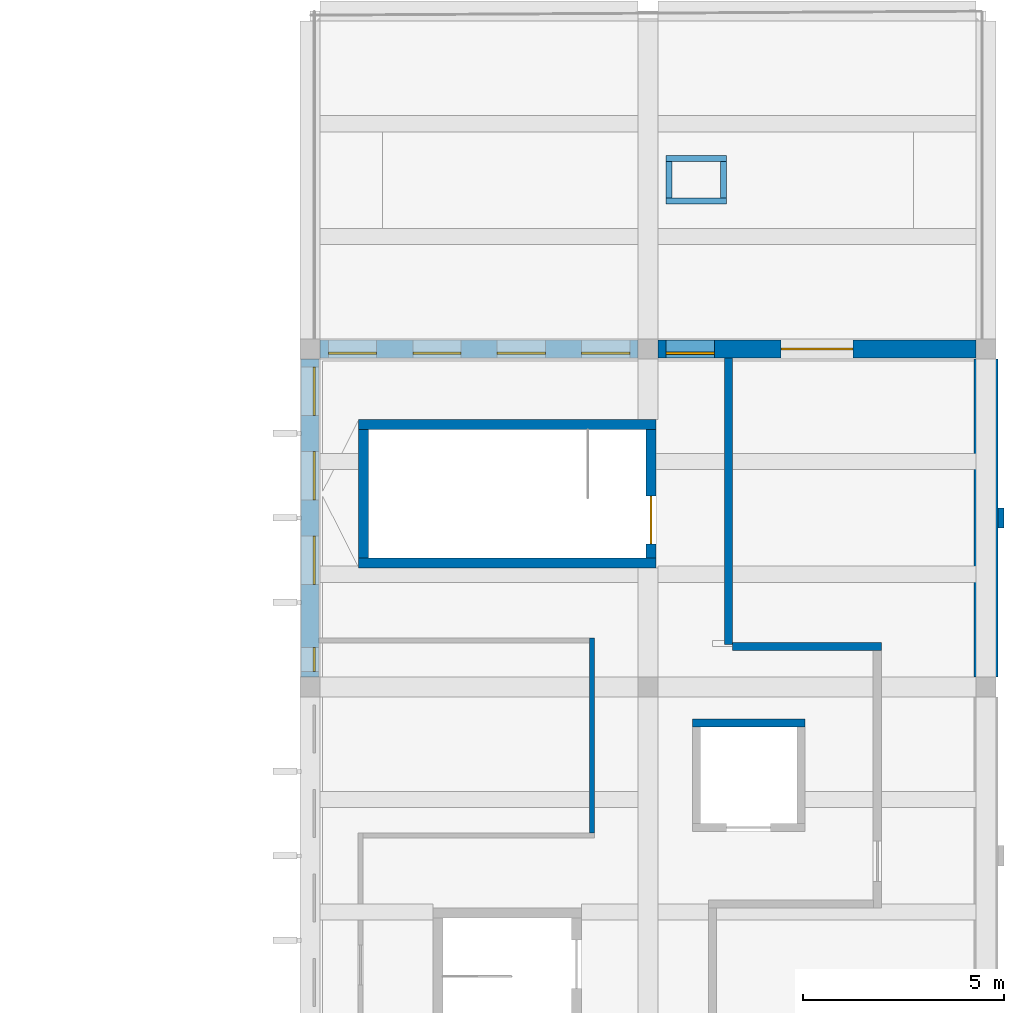
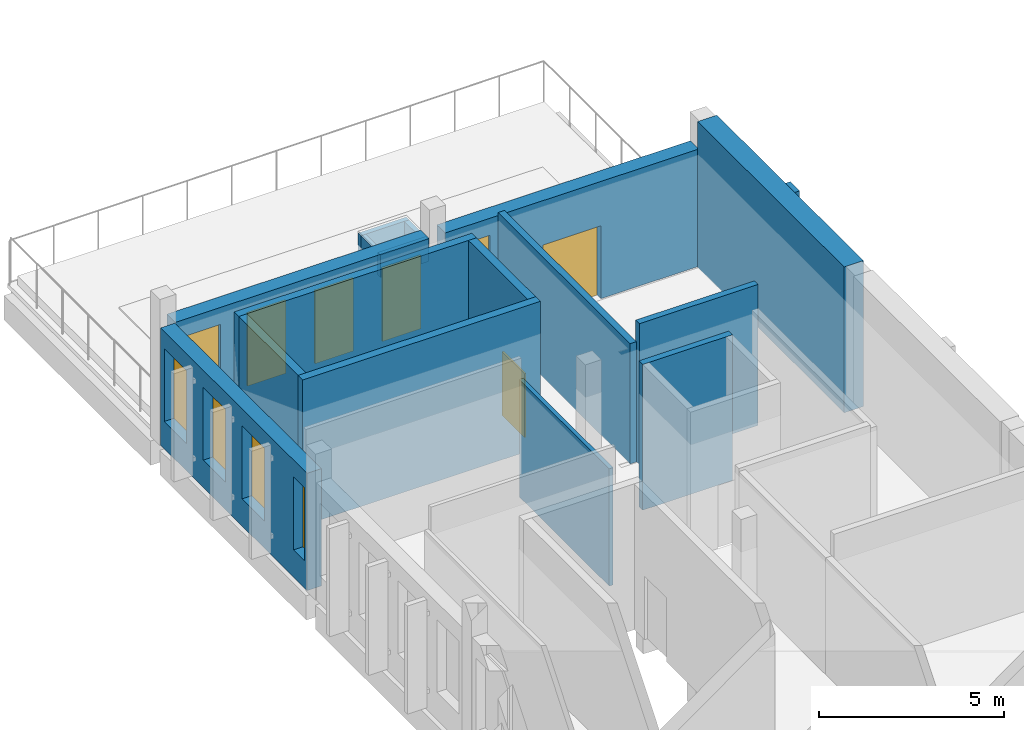
# One storey, part 28 of 47: 17 walls, 9 windows, 2 doors, 11 openings.
"""IFC4 building model written with IfcOpenShell, lengths in metres."""

from ifc_helpers import new_model, si_unit, direction, frame, frame_2d, origin, place, context, subcontext, project, spatial, rectangle, extrude, material, layer, layer_set, type_object, element, fill, save


model = new_model("IFC4")

# Units and contexts
model_context = context("Model", 3, precision=1e-05, world=origin(), true_north=direction((0.0, 1.0)))
body_context = subcontext(model_context, "Body", "Model", "MODEL_VIEW")
ifc_project = project(units=[si_unit("LENGTHUNIT", "METRE"), si_unit("AREAUNIT", "SQUARE_METRE"), si_unit("VOLUMEUNIT", "CUBIC_METRE"), si_unit("PLANEANGLEUNIT", "RADIAN"), si_unit("MASSUNIT", "GRAM", prefix="KILO")], contexts=[model_context])

# Site, building, storey
site_placement = place(None, origin())
site = spatial("IfcSite", under=ifc_project, at=site_placement, CompositionType="ELEMENT")
building_placement = place(site_placement, origin())
building = spatial("IfcBuilding", under=site, at=building_placement, Name="Larchfold Concert Hall", CompositionType="ELEMENT")
storey_placement = place(building_placement, frame((0.0, 0.0, 24.0)))
storey = spatial("IfcBuildingStorey", under=building, at=storey_placement, Name="L05", CompositionType="ELEMENT", Elevation=24.0)

# Walls
ifc_material_1 = material(Name="Plasterboard partition on steel studs", Category="steel")
ifc_layer_1 = layer(ifc_material_1, 0.199951171875)
ifc_layer_set_1 = layer_set([ifc_layer_1], Name="Plasterboard partition on steel studs")
wall_type_1 = type_object("IfcWallType", Name="Acoustic partition 200", PredefinedType="PARTITIONING", material=ifc_layer_set_1)
wall_1_placement = place(storey_placement, frame((95.0, 42.375, 0.0), z_axis=(0.0, 0.0, 1.0), x_axis=(-0.000137080191, -0.999999990605, 0.0)))
element("IfcWall", 1, at=wall_1_placement, inside=storey, type_object=wall_type_1, Name="Partition IW0064", PredefinedType="PARTITIONING", context=body_context, shape_type="SweptSolid", body=[
    extrude(rectangle(XDim=7.1240234375, YDim=0.199951171875, at=frame_2d((3.56201171875, 0.0))), origin(), (0.0, 0.0, 1.0), 3.9599609375),
])
wall_2_placement = place(storey_placement, frame((95.09912109375, 35.199951171875, 0.0), z_axis=(0.0, 0.0, 1.0), x_axis=(0.999999965168, -0.000263939285, 0.0)))
element("IfcWall", 2, at=wall_2_placement, inside=storey, type_object=wall_type_1, Name="Partition IW0065", PredefinedType="PARTITIONING", context=body_context, shape_type="SweptSolid", body=[
    extrude(rectangle(XDim=3.699951171875, YDim=0.199951171875, at=frame_2d((1.85009765625, 0.0))), origin(), (0.0, 0.0, 1.0), 4.639892578125),
])
ifc_material_2 = material(Name="Plasterboard partition on steel studs", Category="steel")
ifc_layer_2 = layer(ifc_material_2, 0.125)
ifc_layer_set_2 = layer_set([ifc_layer_2], Name="Plasterboard partition on steel studs")
wall_type_2 = type_object("IfcWallType", Name="Corridor partition 125 EI 60", PredefinedType="PARTITIONING", material=ifc_layer_set_2)
wall_3_placement = place(storey_placement, frame((91.60107421875, 30.5615234375, 0.0), z_axis=(0.0, 0.0, 1.0), x_axis=(0.0, 1.0, 0.0)))
element("IfcWall", 3, at=wall_3_placement, inside=storey, type_object=wall_type_2, Name="Partition IW0058", PredefinedType="PARTITIONING", context=body_context, shape_type="SweptSolid", body=[
    extrude(rectangle(XDim=4.85107421875, YDim=0.125, at=frame_2d((2.425537109375, 0.0))), origin(), (0.0, 0.0, 1.0), 3.860107421875),
])
ifc_material_3 = material(Name="Insulated steel upstand S355", Category="steel")
ifc_layer_3 = layer(ifc_material_3, 0.14990234375)
ifc_layer_set_3 = layer_set([ifc_layer_3], Name="Insulated steel upstand S355")
wall_type_3 = type_object("IfcWallType", Name="Roof hatch curb 150", PredefinedType="PARAPET", material=ifc_layer_set_3)
for number, where, z_axis, x_axis, name in (
    (4, (93.4501953125, 46.28515625, 0.0), (0.0, 0.0, 1.0), (1.0, 0.0, 0.0), "Roof upstand curb HC17"),
    (5, (93.4501953125, 47.3349609375, 0.0), (0.0, 0.0, 1.0), (1.0, 0.0, 0.0), "Roof upstand curb HC18"),
):
    element("IfcWall", number, at=place(storey_placement, frame(where, z_axis=z_axis, x_axis=x_axis)), inside=storey, type_object=wall_type_3, Name=name, PredefinedType="PARAPET", context=body_context, shape_type="SweptSolid", body=[
        extrude(rectangle(XDim=1.5, YDim=0.14990234375, at=frame_2d((0.75, 0.0))), origin(), (0.0, 0.0, 1.0), 0.739990234375),
    ])
for number, where, z_axis, x_axis, name in (
    (6, (93.525146484375, 46.360107421875, 0.0), (0.0, 0.0, 1.0), (0.0, 1.0, 0.0), "Roof upstand curb HC19"),
    (7, (94.875244140625, 46.360107421875, 0.0), (0.0, 0.0, 1.0), (0.0, 1.0, 0.0), "Roof upstand curb HC20"),
):
    element("IfcWall", number, at=place(storey_placement, frame(where, z_axis=z_axis, x_axis=x_axis)), inside=storey, type_object=wall_type_3, Name=name, PredefinedType="PARAPET", context=body_context, shape_type="SweptSolid", body=[
        extrude(rectangle(XDim=0.89990234375, YDim=0.14990234375, at=frame_2d((0.449951171875, 0.0))), origin(), (0.0, 0.0, 1.0), 0.739990234375),
    ])
ifc_material_4 = material(Name="Concrete C40/50", Category="concrete")
ifc_layer_4 = layer(ifc_material_4, 0.199951171875)
ifc_layer_set_4 = layer_set([ifc_layer_4], Name="Concrete C40/50")
wall_type_4 = type_object("IfcWallType", Name="Wall RC 200 lift shaft", PredefinedType="SOLIDWALL", material=ifc_layer_set_4)
wall_4_placement = place(storey_placement, frame((94.10009765625, 33.2998046875, 0.0), z_axis=(0.0, 0.0, 1.0), x_axis=(1.0, 0.0, 0.0)))
element("IfcWall", 8, at=wall_4_placement, inside=storey, type_object=wall_type_4, Name="Wall W0110", PredefinedType="SOLIDWALL", context=body_context, shape_type="SweptSolid", body=[
    extrude(rectangle(XDim=2.7998046875, YDim=0.199951171875, at=frame_2d((1.39990234375, 0.0))), origin(), (0.0, 0.0, 1.0), 4.800048828125),
])
ifc_material_5 = material(Name="Concrete C40/50", Category="concrete")
ifc_layer_5 = layer(ifc_material_5, 0.25)
ifc_layer_set_5 = layer_set([ifc_layer_5], Name="Concrete C40/50")
wall_type_5 = type_object("IfcWallType", Name="Wall RC 250 stair core", PredefinedType="SOLIDWALL", material=ifc_layer_set_5)
for number, where, z_axis, x_axis, name in (
    (9, (85.800048828125, 37.27490234375, 0.0), (0.0, 0.0, 1.0), (1.0, 0.0, 0.0), "Wall W0081"),
    (10, (85.800048828125, 40.72509765625, 0.0), (0.0, 0.0, 1.0), (1.0, 0.0, 0.0), "Wall W0082"),
):
    element("IfcWall", number, at=place(storey_placement, frame(where, z_axis=z_axis, x_axis=x_axis)), inside=storey, type_object=wall_type_5, Name=name, PredefinedType="SOLIDWALL", context=body_context, shape_type="SweptSolid", body=[
        extrude(rectangle(XDim=7.39990234375, YDim=0.25, at=frame_2d((3.699951171875, 0.0))), origin(), (0.0, 0.0, 1.0), 4.800048828125),
    ])
wall_5_placement = place(storey_placement, frame((85.925048828125, 37.39990234375, 0.0), z_axis=(0.0, 0.0, 1.0), x_axis=(0.0, 1.0, 0.0)))
element("IfcWall", 11, at=wall_5_placement, inside=storey, type_object=wall_type_5, Name="Wall W0083", PredefinedType="SOLIDWALL", context=body_context, shape_type="SweptSolid", body=[
    extrude(rectangle(XDim=3.2001953125, YDim=0.25, at=frame_2d((1.60009765625, 0.0))), origin(), (0.0, 0.0, 1.0), 4.800048828125),
])

# Wall, opening, door
wall_6_placement = place(storey_placement, frame((93.074951171875, 37.39990234375, 0.0), z_axis=(0.0, 0.0, 1.0), x_axis=(0.0, 1.0, 0.0)))
wall_6 = element("IfcWall", 12, at=wall_6_placement, inside=storey, type_object=wall_type_5, Name="Wall W0084", PredefinedType="SOLIDWALL", context=body_context, shape_type="SweptSolid", body=[
    extrude(rectangle(XDim=3.2001953125, YDim=0.25, at=frame_2d((1.60009765625, 0.0))), origin(), (0.0, 0.0, 1.0), 4.800048828125),
])
opening_1_placement = place(wall_6_placement, frame((0.35009765625, 0.0, 0.0)))
opening_1 = element("IfcOpeningElement", 13, at=opening_1_placement, cuts=wall_6, Name="Opening D-L05-129", PredefinedType="OPENING", context=body_context, shape_type="SweptSolid", body=[
    extrude(rectangle(XDim=1.199951171875, YDim=2.10009765625, at=frame_2d((0.60009765625, 1.050048828125))), frame((0.0, 0.135009765625, 0.0), z_axis=(0.0, -1.0, 0.0), x_axis=(1.0, 0.0, 0.0)), (0.0, 0.0, 1.0), 0.27001953125),
])
ifc_material_6 = material(Name="Timber door leaf", Category="wood")
door_type_1 = type_object("IfcDoorType", Name="Stair enclosure door pair 1200 x 2100 FD60", OperationType="SINGLE_SWING_LEFT", PredefinedType="DOOR", material=ifc_material_6)
door_1_placement = place(opening_1_placement, origin())
door_1 = element("IfcDoor", 14, at=door_1_placement, inside=storey, type_object=door_type_1, Name="Door D-L05-129", OperationType="DOUBLE_DOOR_SINGLE_SWING", OverallHeight=2.10009765625, OverallWidth=1.199951171875, PredefinedType="DOOR", context=body_context, shape_type="SweptSolid", body=[
    extrude(rectangle(XDim=1.199951171875, YDim=2.10009765625, at=frame_2d((0.60009765625, 1.050048828125))), frame((0.0, 0.02490234375, 0.0), z_axis=(0.0, -1.0, 0.0), x_axis=(1.0, 0.0, 0.0)), (0.0, 0.0, 1.0), 0.050048828125),
])
fill(opening_1, door_1)

# Wall
ifc_material_7 = material(Name="Concrete C40/50", Category="concrete")
ifc_layer_6 = layer(ifc_material_7, 0.60009765625)
ifc_layer_set_6 = layer_set([ifc_layer_6], Name="Concrete C40/50")
wall_type_6 = type_object("IfcWallType", Name="Wall RC 600 party wall", PredefinedType="SOLIDWALL", material=ifc_layer_set_6)
wall_7_placement = place(storey_placement, frame((101.39990234375, 34.449951171875, 0.0), z_axis=(0.0, 0.0, 1.0), x_axis=(0.0, 1.0, 0.0)))
element("IfcWall", 15, at=wall_7_placement, inside=storey, type_object=wall_type_6, Name="Wall W0024", PredefinedType="SOLIDWALL", context=body_context, shape_type="SweptSolid", body=[
    extrude(rectangle(XDim=7.900146484375, YDim=0.60009765625, at=frame_2d((3.9501953125, 0.0))), origin(), (0.0, 0.0, 1.0), 4.800048828125),
])

# Wall, openings, door, window
ifc_material_8 = material(Name="White render on mineral wool and block")
ifc_layer_7 = layer(ifc_material_8, 0.449951171875)
ifc_layer_set_7 = layer_set([ifc_layer_7], Name="White render on mineral wool and block")
wall_type_7 = type_object("IfcWallType", Name="White render infill wall 450", PredefinedType="SOLIDWALL", material=ifc_layer_set_7)
wall_8_placement = place(storey_placement, frame((101.14990234375, 42.60009765625, 0.0), z_axis=(0.0, 0.0, 1.0), x_axis=(-1.0, 0.0, 0.0)))
wall_8 = element("IfcWall", 16, at=wall_8_placement, inside=storey, type_object=wall_type_7, Name="Infill wall W5176", PredefinedType="SOLIDWALL", context=body_context, shape_type="SweptSolid", body=[
    extrude(rectangle(XDim=7.89990234375, YDim=0.449951171875, at=frame_2d((3.949951171875, 0.0))), origin(), (0.0, 0.0, 1.0), 3.860107421875),
])
opening_2_placement = place(wall_8_placement, frame((3.050048828125, 0.0, 0.0)))
opening_2 = element("IfcOpeningElement", 17, at=opening_2_placement, cuts=wall_8, Name="Opening D-L05-201", PredefinedType="OPENING", context=body_context, shape_type="SweptSolid", body=[
    extrude(rectangle(XDim=1.800048828125, YDim=2.39990234375, at=frame_2d((0.89990234375, 1.199951171875))), frame((0.0, 0.23486328125, 0.0), z_axis=(0.0, -1.0, 0.0), x_axis=(1.0, 0.0, 0.0)), (0.0, 0.0, 1.0), 0.469970703125),
])
opening_3_placement = place(wall_8_placement, frame((6.5, 0.0, 0.89990234375)))
opening_3 = element("IfcOpeningElement", 18, at=opening_3_placement, cuts=wall_8, Name="Opening WN-L05-017", PredefinedType="OPENING", context=body_context, shape_type="SweptSolid", body=[
    extrude(rectangle(XDim=1.199951171875, YDim=2.39990234375, at=frame_2d((0.60009765625, 1.199951171875))), frame((0.0, 0.23486328125, 0.0), z_axis=(0.0, -1.0, 0.0), x_axis=(1.0, 0.0, 0.0)), (0.0, 0.0, 1.0), 0.469970703125),
])
ifc_material_9 = material(Name="Anodised graphite aluminium door leaf", Category="aluminium")
door_type_2 = type_object("IfcDoorType", Name="Double door 1800x2400", OperationType="DOUBLE_DOOR_SINGLE_SWING", PredefinedType="DOOR", material=ifc_material_9)
door_2_placement = place(opening_2_placement, origin())
door_2 = element("IfcDoor", 19, at=door_2_placement, inside=storey, type_object=door_type_2, Name="Door D-L05-201", OperationType="DOUBLE_DOOR_SINGLE_SWING", OverallHeight=2.39990234375, OverallWidth=1.800048828125, PredefinedType="DOOR", context=body_context, shape_type="SweptSolid", body=[
    extrude(rectangle(XDim=1.800048828125, YDim=2.39990234375, at=frame_2d((0.89990234375, 1.199951171875))), frame((0.0, 0.02490234375, 0.0), z_axis=(0.0, -1.0, 0.0), x_axis=(1.0, 0.0, 0.0)), (0.0, 0.0, 1.0), 0.050048828125),
])
fill(opening_2, door_2)
ifc_material_10 = material(Name="Anodised graphite aluminium frame with glass", Category="aluminium")
window_type_1 = type_object("IfcWindowType", Name="Slot window 1200x2400", PartitioningType="SINGLE_PANEL", PredefinedType="WINDOW", material=ifc_material_10)
window_1_placement = place(opening_3_placement, origin())
window_1 = element("IfcWindow", 20, at=window_1_placement, inside=storey, type_object=window_type_1, Name="Window WN-L05-017", OverallHeight=2.39990234375, OverallWidth=1.199951171875, PartitioningType="SINGLE_PANEL", PredefinedType="WINDOW", context=body_context, shape_type="SweptSolid", body=[
    extrude(rectangle(XDim=1.199951171875, YDim=2.39990234375, at=frame_2d((0.60009765625, 1.199951171875))), frame((0.0, 0.135009765625, 0.0), z_axis=(0.0, -1.0, 0.0), x_axis=(1.0, 0.0, 0.0)), (0.0, 0.0, 1.0), 0.06005859375),
])
fill(opening_3, window_1)

# Wall, openings, windows
wall_9_placement = place(storey_placement, frame((92.75, 42.60009765625, 0.0), z_axis=(0.0, 0.0, 1.0), x_axis=(-1.0, 0.0, 0.0)))
wall_9 = element("IfcWall", 21, at=wall_9_placement, inside=storey, type_object=wall_type_7, Name="Infill wall W5177", PredefinedType="SOLIDWALL", context=body_context, shape_type="SweptSolid", body=[
    extrude(rectangle(XDim=7.89990234375, YDim=0.449951171875, at=frame_2d((3.949951171875, 0.0))), origin(), (0.0, 0.0, 1.0), 3.860107421875),
])
opening_4_placement = place(wall_9_placement, frame((6.5, 0.0, 0.89990234375)))
opening_4 = element("IfcOpeningElement", 22, at=opening_4_placement, cuts=wall_9, Name="Opening WN-L05-018", PredefinedType="OPENING", context=body_context, shape_type="SweptSolid", body=[
    extrude(rectangle(XDim=1.199951171875, YDim=2.39990234375, at=frame_2d((0.60009765625, 1.199951171875))), frame((0.0, 0.23486328125, 0.0), z_axis=(0.0, -1.0, 0.0), x_axis=(1.0, 0.0, 0.0)), (0.0, 0.0, 1.0), 0.469970703125),
])
opening_5_placement = place(wall_9_placement, frame((4.39990234375, 0.0, 0.89990234375)))
opening_5 = element("IfcOpeningElement", 23, at=opening_5_placement, cuts=wall_9, Name="Opening WN-L05-019", PredefinedType="OPENING", context=body_context, shape_type="SweptSolid", body=[
    extrude(rectangle(XDim=1.199951171875, YDim=2.39990234375, at=frame_2d((0.60009765625, 1.199951171875))), frame((0.0, 0.23486328125, 0.0), z_axis=(0.0, -1.0, 0.0), x_axis=(1.0, 0.0, 0.0)), (0.0, 0.0, 1.0), 0.469970703125),
])
opening_6_placement = place(wall_9_placement, frame((2.300048828125, 0.0, 0.89990234375)))
opening_6 = element("IfcOpeningElement", 24, at=opening_6_placement, cuts=wall_9, Name="Opening WN-L05-020", PredefinedType="OPENING", context=body_context, shape_type="SweptSolid", body=[
    extrude(rectangle(XDim=1.199951171875, YDim=2.39990234375, at=frame_2d((0.60009765625, 1.199951171875))), frame((0.0, 0.23486328125, 0.0), z_axis=(0.0, -1.0, 0.0), x_axis=(1.0, 0.0, 0.0)), (0.0, 0.0, 1.0), 0.469970703125),
])
opening_7_placement = place(wall_9_placement, frame((0.199951171875, 0.0, 0.89990234375)))
opening_7 = element("IfcOpeningElement", 25, at=opening_7_placement, cuts=wall_9, Name="Opening WN-L05-021", PredefinedType="OPENING", context=body_context, shape_type="SweptSolid", body=[
    extrude(rectangle(XDim=1.199951171875, YDim=2.39990234375, at=frame_2d((0.60009765625, 1.199951171875))), frame((0.0, 0.23486328125, 0.0), z_axis=(0.0, -1.0, 0.0), x_axis=(1.0, 0.0, 0.0)), (0.0, 0.0, 1.0), 0.469970703125),
])
window_2_placement = place(opening_4_placement, origin())
window_2 = element("IfcWindow", 26, at=window_2_placement, inside=storey, type_object=window_type_1, Name="Window WN-L05-018", OverallHeight=2.39990234375, OverallWidth=1.199951171875, PartitioningType="SINGLE_PANEL", PredefinedType="WINDOW", context=body_context, shape_type="SweptSolid", body=[
    extrude(rectangle(XDim=1.199951171875, YDim=2.39990234375, at=frame_2d((0.60009765625, 1.199951171875))), frame((0.0, 0.135009765625, 0.0), z_axis=(0.0, -1.0, 0.0), x_axis=(1.0, 0.0, 0.0)), (0.0, 0.0, 1.0), 0.06005859375),
])
fill(opening_4, window_2)
window_3_placement = place(opening_5_placement, origin())
window_3 = element("IfcWindow", 27, at=window_3_placement, inside=storey, type_object=window_type_1, Name="Window WN-L05-019", OverallHeight=2.39990234375, OverallWidth=1.199951171875, PartitioningType="SINGLE_PANEL", PredefinedType="WINDOW", context=body_context, shape_type="SweptSolid", body=[
    extrude(rectangle(XDim=1.199951171875, YDim=2.39990234375, at=frame_2d((0.60009765625, 1.199951171875))), frame((0.0, 0.135009765625, 0.0), z_axis=(0.0, -1.0, 0.0), x_axis=(1.0, 0.0, 0.0)), (0.0, 0.0, 1.0), 0.06005859375),
])
fill(opening_5, window_3)
window_4_placement = place(opening_6_placement, origin())
window_4 = element("IfcWindow", 28, at=window_4_placement, inside=storey, type_object=window_type_1, Name="Window WN-L05-020", OverallHeight=2.39990234375, OverallWidth=1.199951171875, PartitioningType="SINGLE_PANEL", PredefinedType="WINDOW", context=body_context, shape_type="SweptSolid", body=[
    extrude(rectangle(XDim=1.199951171875, YDim=2.39990234375, at=frame_2d((0.60009765625, 1.199951171875))), frame((0.0, 0.135009765625, 0.0), z_axis=(0.0, -1.0, 0.0), x_axis=(1.0, 0.0, 0.0)), (0.0, 0.0, 1.0), 0.06005859375),
])
fill(opening_6, window_4)
window_5_placement = place(opening_7_placement, origin())
window_5 = element("IfcWindow", 29, at=window_5_placement, inside=storey, type_object=window_type_1, Name="Window WN-L05-021", OverallHeight=2.39990234375, OverallWidth=1.199951171875, PartitioningType="SINGLE_PANEL", PredefinedType="WINDOW", context=body_context, shape_type="SweptSolid", body=[
    extrude(rectangle(XDim=1.199951171875, YDim=2.39990234375, at=frame_2d((0.60009765625, 1.199951171875))), frame((0.0, 0.135009765625, 0.0), z_axis=(0.0, -1.0, 0.0), x_axis=(1.0, 0.0, 0.0)), (0.0, 0.0, 1.0), 0.06005859375),
])
fill(opening_7, window_5)

wall_10_placement = place(storey_placement, frame((84.60009765625, 42.35009765625, 0.0), z_axis=(0.0, 0.0, 1.0), x_axis=(0.0, -1.0, 0.0)))
wall_10 = element("IfcWall", 30, at=wall_10_placement, inside=storey, type_object=wall_type_7, Name="Infill wall W5178", PredefinedType="SOLIDWALL", context=body_context, shape_type="SweptSolid", body=[
    extrude(rectangle(XDim=7.900146484375, YDim=0.449951171875, at=frame_2d((3.9501953125, 0.0))), origin(), (0.0, 0.0, 1.0), 3.860107421875),
])
opening_8_placement = place(wall_10_placement, frame((7.17138671875, 0.0, 0.89990234375)))
opening_8 = element("IfcOpeningElement", 31, at=opening_8_placement, cuts=wall_10, Name="Opening WN-L05-022", PredefinedType="OPENING", context=body_context, shape_type="SweptSolid", body=[
    extrude(rectangle(XDim=0.60009765625, YDim=2.39990234375, at=frame_2d((0.300048828125, 1.199951171875))), frame((0.0, 0.23486328125, 0.0), z_axis=(0.0, -1.0, 0.0), x_axis=(1.0, 0.0, 0.0)), (0.0, 0.0, 1.0), 0.469970703125),
])
opening_9_placement = place(wall_10_placement, frame((4.400146484375, 0.0, 0.89990234375)))
opening_9 = element("IfcOpeningElement", 32, at=opening_9_placement, cuts=wall_10, Name="Opening WN-L05-023", PredefinedType="OPENING", context=body_context, shape_type="SweptSolid", body=[
    extrude(rectangle(XDim=1.199951171875, YDim=2.39990234375, at=frame_2d((0.60009765625, 1.199951171875))), frame((0.0, 0.23486328125, 0.0), z_axis=(0.0, -1.0, 0.0), x_axis=(1.0, 0.0, 0.0)), (0.0, 0.0, 1.0), 0.469970703125),
])
opening_10_placement = place(wall_10_placement, frame((2.300048828125, 0.0, 0.89990234375)))
opening_10 = element("IfcOpeningElement", 33, at=opening_10_placement, cuts=wall_10, Name="Opening WN-L05-024", PredefinedType="OPENING", context=body_context, shape_type="SweptSolid", body=[
    extrude(rectangle(XDim=1.199951171875, YDim=2.39990234375, at=frame_2d((0.60009765625, 1.199951171875))), frame((0.0, 0.23486328125, 0.0), z_axis=(0.0, -1.0, 0.0), x_axis=(1.0, 0.0, 0.0)), (0.0, 0.0, 1.0), 0.469970703125),
])
opening_11_placement = place(wall_10_placement, frame((0.2001953125, 0.0, 0.89990234375)))
opening_11 = element("IfcOpeningElement", 34, at=opening_11_placement, cuts=wall_10, Name="Opening WN-L05-025", PredefinedType="OPENING", context=body_context, shape_type="SweptSolid", body=[
    extrude(rectangle(XDim=1.199951171875, YDim=2.39990234375, at=frame_2d((0.60009765625, 1.199951171875))), frame((0.0, 0.23486328125, 0.0), z_axis=(0.0, -1.0, 0.0), x_axis=(1.0, 0.0, 0.0)), (0.0, 0.0, 1.0), 0.469970703125),
])
window_6_placement = place(opening_9_placement, origin())
window_6 = element("IfcWindow", 35, at=window_6_placement, inside=storey, type_object=window_type_1, Name="Window WN-L05-023", OverallHeight=2.39990234375, OverallWidth=1.199951171875, PartitioningType="SINGLE_PANEL", PredefinedType="WINDOW", context=body_context, shape_type="SweptSolid", body=[
    extrude(rectangle(XDim=1.199951171875, YDim=2.39990234375, at=frame_2d((0.60009765625, 1.199951171875))), frame((0.0, 0.135009765625, 0.0), z_axis=(0.0, -1.0, 0.0), x_axis=(1.0, 0.0, 0.0)), (0.0, 0.0, 1.0), 0.06005859375),
])
fill(opening_9, window_6)
window_7_placement = place(opening_10_placement, origin())
window_7 = element("IfcWindow", 36, at=window_7_placement, inside=storey, type_object=window_type_1, Name="Window WN-L05-024", OverallHeight=2.39990234375, OverallWidth=1.199951171875, PartitioningType="SINGLE_PANEL", PredefinedType="WINDOW", context=body_context, shape_type="SweptSolid", body=[
    extrude(rectangle(XDim=1.199951171875, YDim=2.39990234375, at=frame_2d((0.60009765625, 1.199951171875))), frame((0.0, 0.135009765625, 0.0), z_axis=(0.0, -1.0, 0.0), x_axis=(1.0, 0.0, 0.0)), (0.0, 0.0, 1.0), 0.06005859375),
])
fill(opening_10, window_7)
window_8_placement = place(opening_11_placement, origin())
window_8 = element("IfcWindow", 37, at=window_8_placement, inside=storey, type_object=window_type_1, Name="Window WN-L05-025", OverallHeight=2.39990234375, OverallWidth=1.199951171875, PartitioningType="SINGLE_PANEL", PredefinedType="WINDOW", context=body_context, shape_type="SweptSolid", body=[
    extrude(rectangle(XDim=1.199951171875, YDim=2.39990234375, at=frame_2d((0.60009765625, 1.199951171875))), frame((0.0, 0.135009765625, 0.0), z_axis=(0.0, -1.0, 0.0), x_axis=(1.0, 0.0, 0.0)), (0.0, 0.0, 1.0), 0.06005859375),
])
fill(opening_11, window_8)
ifc_material_11 = material(Name="Anodised graphite aluminium frame with glass", Category="aluminium")
window_type_2 = type_object("IfcWindowType", Name="Slot window 600x2400", PartitioningType="SINGLE_PANEL", PredefinedType="WINDOW", material=ifc_material_11)
window_9_placement = place(opening_8_placement, origin())
window_9 = element("IfcWindow", 38, at=window_9_placement, inside=storey, type_object=window_type_2, Name="Window WN-L05-022", OverallHeight=2.39990234375, OverallWidth=0.60009765625, PartitioningType="SINGLE_PANEL", PredefinedType="WINDOW", context=body_context, shape_type="SweptSolid", body=[
    extrude(rectangle(XDim=0.60009765625, YDim=2.39990234375, at=frame_2d((0.300048828125, 1.199951171875))), frame((0.0, 0.135009765625, 0.0), z_axis=(0.0, -1.0, 0.0), x_axis=(1.0, 0.0, 0.0)), (0.0, 0.0, 1.0), 0.06005859375),
])
fill(opening_8, window_9)

# Wall
ifc_material_12 = material(Name="White render on insulated block")
ifc_layer_8 = layer(ifc_material_12, 0.14990234375)
ifc_layer_set_8 = layer_set([ifc_layer_8], Name="White render on insulated block")
wall_type_8 = type_object("IfcWallType", Name="White render pilaster 150", PredefinedType="SOLIDWALL", material=ifc_layer_set_8)
wall_11_placement = place(storey_placement, frame((101.77490234375, 38.14990234375, 0.0), z_axis=(0.0, 0.0, 1.0), x_axis=(0.0, 1.0, 0.0)))
element("IfcWall", 39, at=wall_11_placement, inside=storey, type_object=wall_type_8, Name="Pilaster W5375", PredefinedType="SOLIDWALL", context=body_context, shape_type="SweptSolid", body=[
    extrude(rectangle(XDim=0.5, YDim=0.14990234375, at=frame_2d((0.25, 0.0))), origin(), (0.0, 0.0, 1.0), 4.800048828125),
])

save(model, "model.ifc")
